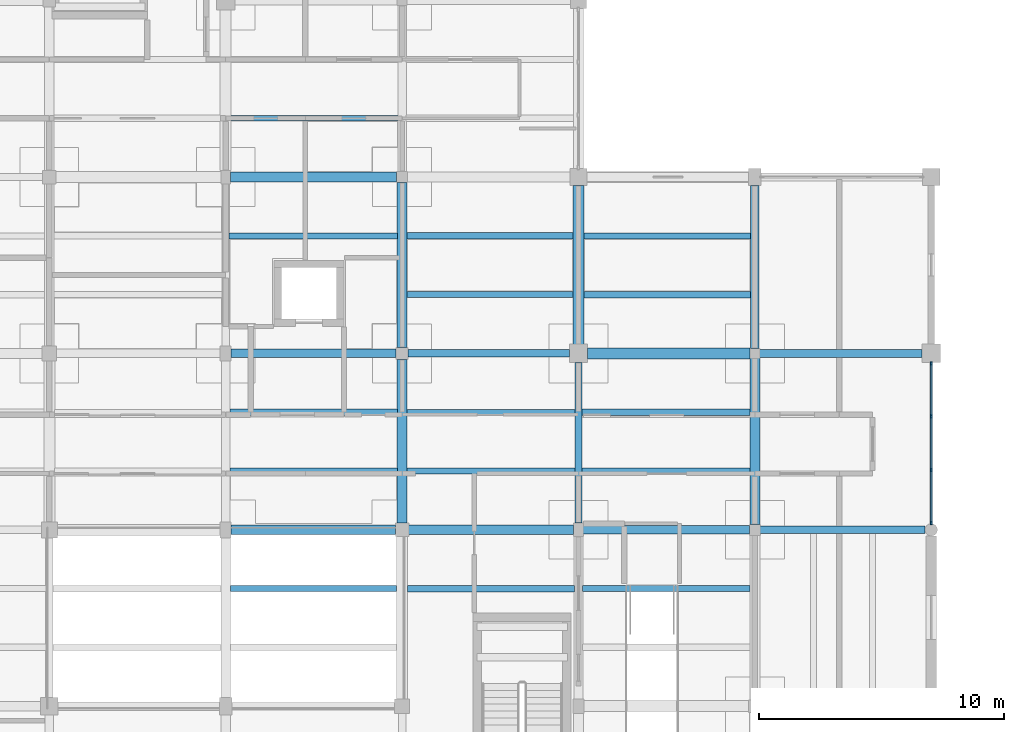
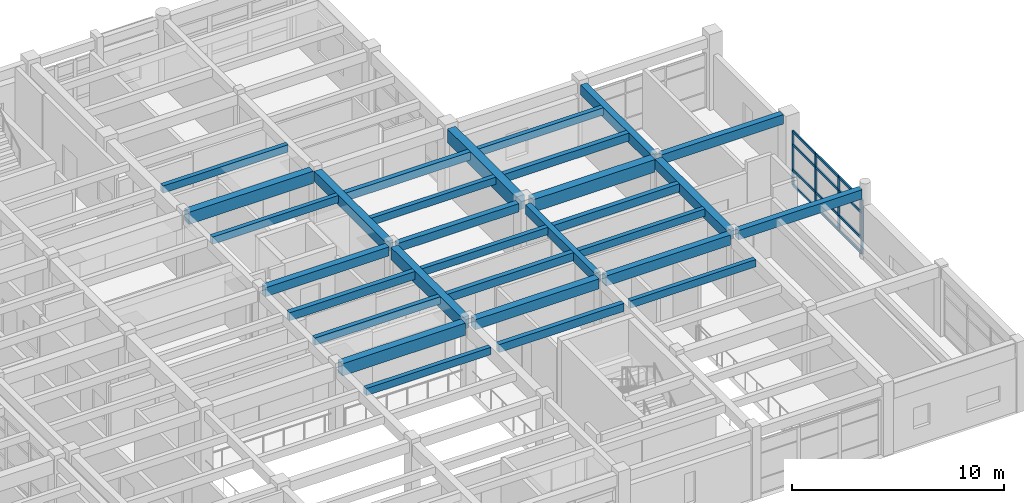
# One storey, part 49 of 110: 30 beams, 16 members, 1 element without a shape of its own.
"""IFC4 building model written with IfcOpenShell, lengths in metres."""

from ifc_helpers import new_model, si_unit, direction, frame, origin, origin_2d, place, context, subcontext, project, spatial, rectangle, extrude, material, material_profile, profile_set, type_object, element, aggregate, save


model = new_model("IFC4")

# Units and contexts
model_context = context("Model", 3, precision=1e-05, world=origin(), true_north=direction((0.0, 1.0)))
body_context = subcontext(model_context, "Body", "Model", "MODEL_VIEW")
ifc_project = project(units=[si_unit("LENGTHUNIT", "METRE"), si_unit("AREAUNIT", "SQUARE_METRE"), si_unit("VOLUMEUNIT", "CUBIC_METRE"), si_unit("PLANEANGLEUNIT", "RADIAN"), si_unit("MASSUNIT", "GRAM", prefix="KILO")], contexts=[model_context])

# Site, building, storey
site_placement = place(None, origin())
site = spatial("IfcSite", under=ifc_project, at=site_placement, CompositionType="ELEMENT")
building_placement = place(site_placement, origin())
building = spatial("IfcBuilding", under=site, at=building_placement, Name="Steenspoor Specialist Clinic", CompositionType="ELEMENT")
storey_placement = place(building_placement, frame((0.0, 0.0, 4.800048828125)))
storey = spatial("IfcBuildingStorey", under=building, at=storey_placement, Name="L01", CompositionType="ELEMENT", Elevation=4.800048828125)

# Beams
ifc_material_1 = material(Name="Concrete C35/45", Category="concrete")
ifc_material_profile_1 = material_profile(ifc_material_1, rectangle(XDim=0.300048828125, YDim=0.47998046875, at=origin_2d()), Name="RC-BM-300X480")
ifc_profile_set_1 = profile_set([ifc_material_profile_1], Name="Concrete C35/45")
beam_type_1 = type_object("IfcBeamType", Name="BM-RC-300X480", PredefinedType="BEAM", material=ifc_profile_set_1)
beam_1_placement = place(storey_placement, frame((139.844970703125, 86.75, 3.7099609375), z_axis=(1.0, 0.0, 0.0), x_axis=(0.0, 1.0, 0.0)))
element("IfcBeam", 1, at=beam_1_placement, inside=storey, type_object=beam_type_1, Name="BM-V6-L01-X1496", PredefinedType="BEAM", context=body_context, shape_type="SweptSolid", body=[
    extrude(rectangle(XDim=0.300048828125, YDim=0.47998046875, at=origin_2d()), origin(), (0.0, 0.0, 1.0), 6.5849609375),
])
ifc_material_profile_2 = material_profile(ifc_material_1, rectangle(XDim=0.300048828125, YDim=0.550048828125, at=origin_2d()), Name="RC-BM-300X550")
ifc_profile_set_2 = profile_set([ifc_material_profile_2], Name="Concrete C35/45")
beam_type_2 = type_object("IfcBeamType", Name="BM-RC-300X550", PredefinedType="BEAM", material=ifc_profile_set_2)
beam_2_placement = place(storey_placement, frame((146.800048828125, 79.820068359375, 3.675048828125), z_axis=(0.0, 1.0, 0.0), x_axis=(-1.0, 0.0, 0.0)))
element("IfcBeam", 2, at=beam_2_placement, inside=storey, type_object=beam_type_2, Name="BM-V6-L01-Y1536", PredefinedType="BEAM", context=body_context, shape_type="SweptSolid", body=[
    extrude(rectangle(XDim=0.300048828125, YDim=0.550048828125, at=origin_2d()), origin(), (0.0, 0.0, 1.0), 6.559814453125),
])
ifc_material_profile_3 = material_profile(ifc_material_1, rectangle(XDim=0.35009765625, YDim=0.52001953125, at=origin_2d()), Name="RC-BM-350X520")
ifc_profile_set_3 = profile_set([ifc_material_profile_3], Name="Concrete C35/45")
beam_type_3 = type_object("IfcBeamType", Name="BM-RC-350X520", PredefinedType="BEAM", material=ifc_profile_set_3)
beam_3_placement = place(storey_placement, frame((132.6201171875, 86.75, 3.68994140625), z_axis=(1.0, 0.0, 0.0), x_axis=(0.0, 1.0, 0.0)))
element("IfcBeam", 3, at=beam_3_placement, inside=storey, type_object=beam_type_3, Name="BM-V6-L01-X1495", PredefinedType="BEAM", context=body_context, shape_type="SweptSolid", body=[
    extrude(rectangle(XDim=0.35009765625, YDim=0.52001953125, at=origin_2d()), origin(), (0.0, 0.0, 1.0), 6.73486328125),
])
ifc_material_profile_4 = material_profile(ifc_material_1, rectangle(XDim=0.35009765625, YDim=0.580078125, at=origin_2d()), Name="RC-BM-350X580")
ifc_profile_set_4 = profile_set([ifc_material_profile_4], Name="Concrete C35/45")
beam_type_4 = type_object("IfcBeamType", Name="BM-RC-350X580", PredefinedType="BEAM", material=ifc_profile_set_4)
beam_4_placement = place(storey_placement, frame((146.9951171875, 79.550048828125, 3.659912109375), z_axis=(1.0, 0.0, 0.0), x_axis=(0.0, 1.0, 0.0)))
element("IfcBeam", 4, at=beam_4_placement, inside=storey, type_object=beam_type_4, Name="BM-V6-L01-X1492", PredefinedType="BEAM", context=body_context, shape_type="SweptSolid", body=[
    extrude(rectangle(XDim=0.35009765625, YDim=0.580078125, at=origin_2d()), origin(), (0.0, 0.0, 1.0), 6.784912109375),
])
beam_5_placement = place(storey_placement, frame((154.0, 86.945068359375, 3.659912109375), z_axis=(0.0, 1.0, 0.0), x_axis=(-1.0, 0.0, 0.0)))
element("IfcBeam", 5, at=beam_5_placement, inside=storey, type_object=beam_type_4, Name="BM-V6-L01-Y1543", PredefinedType="BEAM", context=body_context, shape_type="SweptSolid", body=[
    extrude(rectangle(XDim=0.35009765625, YDim=0.580078125, at=origin_2d()), origin(), (0.0, 0.0, 1.0), 6.659912109375),
])
ifc_material_profile_5 = material_profile(ifc_material_1, rectangle(XDim=0.39990234375, YDim=0.580078125, at=origin_2d()), Name="RC-BM-400X580")
ifc_profile_set_5 = profile_set([ifc_material_profile_5], Name="Concrete C35/45")
beam_type_5 = type_object("IfcBeamType", Name="BM-RC-400X580", PredefinedType="BEAM", material=ifc_profile_set_5)
for number, where, z_axis, x_axis, name in (
    (6, (139.8701171875, 79.550048828125, 3.659912109375), (1.0, 0.0, 0.0), (0.0, 1.0, 0.0), "BM-V6-L01-X1491"),
    (7, (139.60009765625, 86.9951171875, 3.659912109375), (0.0, 1.0, 0.0), (-1.0, 0.0, 0.0), "BM-V6-L01-Y1531"),
):
    element("IfcBeam", number, at=place(storey_placement, frame(where, z_axis=z_axis, x_axis=x_axis)), inside=storey, type_object=beam_type_5, Name=name, PredefinedType="BEAM", context=body_context, shape_type="SweptSolid", body=[
        extrude(rectangle(XDim=0.39990234375, YDim=0.580078125, at=origin_2d()), origin(), (0.0, 0.0, 1.0), 6.73486328125),
    ])
beam_6_placement = place(storey_placement, frame((154.0, 79.77001953125, 3.659912109375), z_axis=(0.0, 1.0, 0.0), x_axis=(-1.0, 0.0, 0.0)))
element("IfcBeam", 8, at=beam_6_placement, inside=storey, type_object=beam_type_5, Name="BM-V6-L01-Y1542", PredefinedType="BEAM", context=body_context, shape_type="SweptSolid", body=[
    extrude(rectangle(XDim=0.39990234375, YDim=0.580078125, at=origin_2d()), origin(), (0.0, 0.0, 1.0), 6.784912109375),
])
ifc_material_profile_6 = material_profile(ifc_material_1, rectangle(XDim=0.39990234375, YDim=0.699951171875, at=origin_2d()), Name="RC-BM-400X700")
ifc_profile_set_6 = profile_set([ifc_material_profile_6], Name="Concrete C35/45")
beam_type_6 = type_object("IfcBeamType", Name="BM-RC-400X700", PredefinedType="BEAM", material=ifc_profile_set_6)
beam_7_placement = place(storey_placement, frame((132.6201171875, 79.550048828125, 3.599853515625), z_axis=(1.0, 0.0, 0.0), x_axis=(0.0, 1.0, 0.0)))
element("IfcBeam", 9, at=beam_7_placement, inside=storey, type_object=beam_type_6, Name="BM-V6-L01-X1490", PredefinedType="BEAM", context=body_context, shape_type="SweptSolid", body=[
    extrude(rectangle(XDim=0.39990234375, YDim=0.699951171875, at=origin_2d()), origin(), (0.0, 0.0, 1.0), 6.7099609375),
])
beam_8_placement = place(storey_placement, frame((132.594970703125, 93.949951171875, 3.599853515625), z_axis=(1.0, 0.0, 0.0), x_axis=(0.0, 1.0, 0.0)))
element("IfcBeam", 10, at=beam_8_placement, inside=storey, type_object=beam_type_6, Name="BM-V6-L01-X1500", PredefinedType="BEAM", context=body_context, shape_type="SweptSolid", body=[
    extrude(rectangle(XDim=0.39990234375, YDim=0.699951171875, at=origin_2d()), origin(), (0.0, 0.0, 1.0), 6.784912109375),
])
beam_9_placement = place(storey_placement, frame((139.60009765625, 79.820068359375, 3.599853515625), z_axis=(0.0, 1.0, 0.0), x_axis=(-1.0, 0.0, 0.0)))
element("IfcBeam", 11, at=beam_9_placement, inside=storey, type_object=beam_type_6, Name="BM-V6-L01-Y1530", PredefinedType="BEAM", context=body_context, shape_type="SweptSolid", body=[
    extrude(rectangle(XDim=0.39990234375, YDim=0.699951171875, at=origin_2d()), origin(), (0.0, 0.0, 1.0), 6.684814453125),
])
ifc_material_profile_7 = material_profile(ifc_material_1, rectangle(XDim=0.449951171875, YDim=0.719970703125, at=origin_2d()), Name="RC-BM-450X720")
ifc_profile_set_7 = profile_set([ifc_material_profile_7], Name="Concrete C35/45")
beam_type_7 = type_object("IfcBeamType", Name="BM-RC-450X720", PredefinedType="BEAM", material=ifc_profile_set_7)
beam_10_placement = place(storey_placement, frame((147.169921875, 86.75, 3.58984375), z_axis=(1.0, 0.0, 0.0), x_axis=(0.0, 1.0, 0.0)))
element("IfcBeam", 12, at=beam_10_placement, inside=storey, type_object=beam_type_7, Name="BM-V6-L01-X1497", PredefinedType="BEAM", context=body_context, shape_type="SweptSolid", body=[
    extrude(rectangle(XDim=0.449951171875, YDim=0.719970703125, at=origin_2d()), origin(), (0.0, 0.0, 1.0), 6.635009765625),
])
ifc_material_profile_8 = material_profile(ifc_material_1, rectangle(XDim=0.449951171875, YDim=0.800048828125, at=origin_2d()), Name="RC-BM-450X800")
ifc_profile_set_8 = profile_set([ifc_material_profile_8], Name="Concrete C35/45")
beam_type_8 = type_object("IfcBeamType", Name="BM-RC-450X800", PredefinedType="BEAM", material=ifc_profile_set_8)
beam_11_placement = place(storey_placement, frame((146.800048828125, 87.1201171875, 3.550048828125), z_axis=(0.0, 1.0, 0.0), x_axis=(-1.0, 0.0, 0.0)))
element("IfcBeam", 13, at=beam_11_placement, inside=storey, type_object=beam_type_8, Name="BM-V6-L01-Y1537", PredefinedType="BEAM", context=body_context, shape_type="SweptSolid", body=[
    extrude(rectangle(XDim=0.449951171875, YDim=0.800048828125, at=origin_2d()), origin(), (0.0, 0.0, 1.0), 6.48486328125),
])

# Curtain wall, members
ifc_material_2 = material(Name="Thermally broken aluminium and low-emissivity glass", Category="aluminium")
curtain_wall_type = type_object("IfcCurtainWallType", Name="CW-HALL-480X820", PredefinedType="USERDEFINED", material=ifc_material_2)
curtain_wall_placement = place(storey_placement, origin())
curtain_wall = element("IfcCurtainWall", 14, at=curtain_wall_placement, inside=storey, type_object=curtain_wall_type, Name="Unitised Curtain Wall CW-V6-L01-171", ObjectType="UNITISED GLAZING", PredefinedType="USERDEFINED")
ifc_material_3 = material(Name="Thermally broken aluminium 6063-T6", Category="aluminium")
ifc_material_profile_9 = material_profile(ifc_material_3, rectangle(XDim=0.06494140625, YDim=0.14990234375, at=origin_2d()), Name="CWM-65X150")
ifc_profile_set_9 = profile_set([ifc_material_profile_9], Name="Thermally broken aluminium 6063-T6")
member_type_1 = type_object("IfcMemberType", Name="CW-MULL-65X150", PredefinedType="MULLION", material=ifc_profile_set_9)
member_1_placement = place(storey_placement, frame((161.199951171875, 86.342529296875, 0.0), z_axis=(0.0, 0.0, 1.0), x_axis=(1.0, 0.0, 0.0)))
member_1 = element("IfcMember", 15, at=member_1_placement, type_object=member_type_1, Name="CW-03 mullion 1", PredefinedType="MULLION", context=body_context, shape_type="SweptSolid", body=[
    extrude(rectangle(XDim=0.06494140625, YDim=0.14990234375, at=origin_2d()), origin(), (0.0, 0.0, 1.0), 3.1298828125),
])
member_2_placement = place(storey_placement, frame((161.199951171875, 84.183349609375, 0.0), z_axis=(0.0, 0.0, 1.0), x_axis=(1.0, 0.0, 0.0)))
member_2 = element("IfcMember", 16, at=member_2_placement, type_object=member_type_1, Name="CW-03 mullion 2", PredefinedType="MULLION", context=body_context, shape_type="SweptSolid", body=[
    extrude(rectangle(XDim=0.06494140625, YDim=0.14990234375, at=origin_2d()), origin(), (0.0, 0.0, 1.0), 3.1298828125),
])
member_3_placement = place(storey_placement, frame((161.199951171875, 81.99169921875, 0.0), z_axis=(0.0, 0.0, 1.0), x_axis=(1.0, 0.0, 0.0)))
member_3 = element("IfcMember", 17, at=member_3_placement, type_object=member_type_1, Name="CW-03 mullion 3", PredefinedType="MULLION", context=body_context, shape_type="SweptSolid", body=[
    extrude(rectangle(XDim=0.06494140625, YDim=0.14990234375, at=origin_2d()), origin(), (0.0, 0.0, 1.0), 3.1298828125),
])
member_4_placement = place(storey_placement, frame((161.199951171875, 79.83251953125, 0.0), z_axis=(0.0, 0.0, 1.0), x_axis=(1.0, 0.0, 0.0)))
member_4 = element("IfcMember", 18, at=member_4_placement, type_object=member_type_1, Name="CW-03 mullion 4", PredefinedType="MULLION", context=body_context, shape_type="SweptSolid", body=[
    extrude(rectangle(XDim=0.06494140625, YDim=0.14990234375, at=origin_2d()), origin(), (0.0, 0.0, 1.0), 3.1298828125),
])
ifc_material_profile_10 = material_profile(ifc_material_3, rectangle(XDim=0.070068359375, YDim=0.14501953125, at=origin_2d()), Name="CWT-70X145")
ifc_profile_set_10 = profile_set([ifc_material_profile_10], Name="Thermally broken aluminium 6063-T6")
member_type_2 = type_object("IfcMemberType", Name="CW-TRAN-70X145", PredefinedType="USERDEFINED", material=ifc_profile_set_10)
member_5_placement = place(storey_placement, frame((161.199951171875, 86.31005859375, 0.034912109375), z_axis=(0.0, -1.0, 0.0), x_axis=(1.0, 0.0, 0.0)))
member_5 = element("IfcMember", 19, at=member_5_placement, type_object=member_type_2, Name="CW-03 transom 1.1", ObjectType="TRANSOM", PredefinedType="USERDEFINED", context=body_context, shape_type="SweptSolid", body=[
    extrude(rectangle(XDim=0.070068359375, YDim=0.14501953125, at=origin_2d()), origin(), (0.0, 0.0, 1.0), 2.09423828125),
])
member_6_placement = place(storey_placement, frame((161.199951171875, 86.31005859375, 0.89990234375), z_axis=(0.0, -1.0, 0.0), x_axis=(1.0, 0.0, 0.0)))
member_6 = element("IfcMember", 20, at=member_6_placement, type_object=member_type_2, Name="CW-03 transom 1.2", ObjectType="TRANSOM", PredefinedType="USERDEFINED", context=body_context, shape_type="SweptSolid", body=[
    extrude(rectangle(XDim=0.070068359375, YDim=0.14501953125, at=origin_2d()), origin(), (0.0, 0.0, 1.0), 2.09423828125),
])
member_7_placement = place(storey_placement, frame((161.199951171875, 86.31005859375, 2.349853515625), z_axis=(0.0, -1.0, 0.0), x_axis=(1.0, 0.0, 0.0)))
member_7 = element("IfcMember", 21, at=member_7_placement, type_object=member_type_2, Name="CW-03 transom 1.3", ObjectType="TRANSOM", PredefinedType="USERDEFINED", context=body_context, shape_type="SweptSolid", body=[
    extrude(rectangle(XDim=0.070068359375, YDim=0.14501953125, at=origin_2d()), origin(), (0.0, 0.0, 1.0), 2.09423828125),
])
member_8_placement = place(storey_placement, frame((161.199951171875, 86.31005859375, 3.094970703125), z_axis=(0.0, -1.0, 0.0), x_axis=(1.0, 0.0, 0.0)))
member_8 = element("IfcMember", 22, at=member_8_placement, type_object=member_type_2, Name="CW-03 transom 1.4", ObjectType="TRANSOM", PredefinedType="USERDEFINED", context=body_context, shape_type="SweptSolid", body=[
    extrude(rectangle(XDim=0.070068359375, YDim=0.14501953125, at=origin_2d()), origin(), (0.0, 0.0, 1.0), 2.09423828125),
])
member_9_placement = place(storey_placement, frame((161.199951171875, 84.15087890625, 0.034912109375), z_axis=(0.0, -1.0, 0.0), x_axis=(1.0, 0.0, 0.0)))
member_9 = element("IfcMember", 23, at=member_9_placement, type_object=member_type_2, Name="CW-03 transom 2.1", ObjectType="TRANSOM", PredefinedType="USERDEFINED", context=body_context, shape_type="SweptSolid", body=[
    extrude(rectangle(XDim=0.070068359375, YDim=0.14501953125, at=origin_2d()), origin(), (0.0, 0.0, 1.0), 2.126708984375),
])
member_10_placement = place(storey_placement, frame((161.199951171875, 84.15087890625, 0.89990234375), z_axis=(0.0, -1.0, 0.0), x_axis=(1.0, 0.0, 0.0)))
member_10 = element("IfcMember", 24, at=member_10_placement, type_object=member_type_2, Name="CW-03 transom 2.2", ObjectType="TRANSOM", PredefinedType="USERDEFINED", context=body_context, shape_type="SweptSolid", body=[
    extrude(rectangle(XDim=0.070068359375, YDim=0.14501953125, at=origin_2d()), origin(), (0.0, 0.0, 1.0), 2.126708984375),
])
member_11_placement = place(storey_placement, frame((161.199951171875, 84.15087890625, 2.349853515625), z_axis=(0.0, -1.0, 0.0), x_axis=(1.0, 0.0, 0.0)))
member_11 = element("IfcMember", 25, at=member_11_placement, type_object=member_type_2, Name="CW-03 transom 2.3", ObjectType="TRANSOM", PredefinedType="USERDEFINED", context=body_context, shape_type="SweptSolid", body=[
    extrude(rectangle(XDim=0.070068359375, YDim=0.14501953125, at=origin_2d()), origin(), (0.0, 0.0, 1.0), 2.126708984375),
])
member_12_placement = place(storey_placement, frame((161.199951171875, 84.15087890625, 3.094970703125), z_axis=(0.0, -1.0, 0.0), x_axis=(1.0, 0.0, 0.0)))
member_12 = element("IfcMember", 26, at=member_12_placement, type_object=member_type_2, Name="CW-03 transom 2.4", ObjectType="TRANSOM", PredefinedType="USERDEFINED", context=body_context, shape_type="SweptSolid", body=[
    extrude(rectangle(XDim=0.070068359375, YDim=0.14501953125, at=origin_2d()), origin(), (0.0, 0.0, 1.0), 2.126708984375),
])
member_13_placement = place(storey_placement, frame((161.199951171875, 81.959228515625, 0.034912109375), z_axis=(0.0, -1.0, 0.0), x_axis=(1.0, 0.0, 0.0)))
member_13 = element("IfcMember", 27, at=member_13_placement, type_object=member_type_2, Name="CW-03 transom 3.1", ObjectType="TRANSOM", PredefinedType="USERDEFINED", context=body_context, shape_type="SweptSolid", body=[
    extrude(rectangle(XDim=0.070068359375, YDim=0.14501953125, at=origin_2d()), origin(), (0.0, 0.0, 1.0), 2.09423828125),
])
member_14_placement = place(storey_placement, frame((161.199951171875, 81.959228515625, 0.89990234375), z_axis=(0.0, -1.0, 0.0), x_axis=(1.0, 0.0, 0.0)))
member_14 = element("IfcMember", 28, at=member_14_placement, type_object=member_type_2, Name="CW-03 transom 3.2", ObjectType="TRANSOM", PredefinedType="USERDEFINED", context=body_context, shape_type="SweptSolid", body=[
    extrude(rectangle(XDim=0.070068359375, YDim=0.14501953125, at=origin_2d()), origin(), (0.0, 0.0, 1.0), 2.09423828125),
])
member_15_placement = place(storey_placement, frame((161.199951171875, 81.959228515625, 2.349853515625), z_axis=(0.0, -1.0, 0.0), x_axis=(1.0, 0.0, 0.0)))
member_15 = element("IfcMember", 29, at=member_15_placement, type_object=member_type_2, Name="CW-03 transom 3.3", ObjectType="TRANSOM", PredefinedType="USERDEFINED", context=body_context, shape_type="SweptSolid", body=[
    extrude(rectangle(XDim=0.070068359375, YDim=0.14501953125, at=origin_2d()), origin(), (0.0, 0.0, 1.0), 2.09423828125),
])
member_16_placement = place(storey_placement, frame((161.199951171875, 81.959228515625, 3.094970703125), z_axis=(0.0, -1.0, 0.0), x_axis=(1.0, 0.0, 0.0)))
member_16 = element("IfcMember", 30, at=member_16_placement, type_object=member_type_2, Name="CW-03 transom 3.4", ObjectType="TRANSOM", PredefinedType="USERDEFINED", context=body_context, shape_type="SweptSolid", body=[
    extrude(rectangle(XDim=0.070068359375, YDim=0.14501953125, at=origin_2d()), origin(), (0.0, 0.0, 1.0), 2.09423828125),
])
aggregate(curtain_wall, [member_1, member_2, member_3, member_4, member_5, member_6, member_7, member_8, member_9, member_10, member_11, member_12, member_13, member_14, member_15, member_16])

# Beams
ifc_material_profile_11 = material_profile(ifc_material_1, rectangle(XDim=0.239990234375, YDim=0.419921875, at=origin_2d()), Name="RC-JT-240X420")
ifc_profile_set_11 = profile_set([ifc_material_profile_11], Name="Concrete C35/45")
beam_type_9 = type_object("IfcBeamType", Name="JT-RC-240X420", PredefinedType="JOIST", material=ifc_profile_set_11)
beam_12_placement = place(storey_placement, frame((132.594970703125, 77.14990234375, 3.739990234375), z_axis=(1.0, 0.0, 0.0), x_axis=(0.0, 1.0, 0.0)))
element("IfcBeam", 31, at=beam_12_placement, inside=storey, type_object=beam_type_9, Name="JT-V6-L01-1569", PredefinedType="JOIST", context=body_context, shape_type="SweptSolid", body=[
    extrude(rectangle(XDim=0.239990234375, YDim=0.419921875, at=origin_2d()), origin(), (0.0, 0.0, 1.0), 6.784912109375),
])
beam_13_placement = place(storey_placement, frame((132.570068359375, 81.949951171875, 3.739990234375), z_axis=(1.0, 0.0, 0.0), x_axis=(0.0, 1.0, 0.0)))
element("IfcBeam", 32, at=beam_13_placement, inside=storey, type_object=beam_type_9, Name="JT-V6-L01-1570", PredefinedType="JOIST", context=body_context, shape_type="SweptSolid", body=[
    extrude(rectangle(XDim=0.239990234375, YDim=0.419921875, at=origin_2d()), origin(), (0.0, 0.0, 1.0), 6.8349609375),
])
beam_14_placement = place(storey_placement, frame((132.544921875, 91.550048828125, 3.739990234375), z_axis=(1.0, 0.0, 0.0), x_axis=(0.0, 1.0, 0.0)))
element("IfcBeam", 33, at=beam_14_placement, inside=storey, type_object=beam_type_9, Name="JT-V6-L01-1572", PredefinedType="JOIST", context=body_context, shape_type="SweptSolid", body=[
    extrude(rectangle(XDim=0.239990234375, YDim=0.419921875, at=origin_2d()), origin(), (0.0, 0.0, 1.0), 6.860107421875),
])
beam_15_placement = place(storey_placement, frame((132.6201171875, 96.35009765625, 3.739990234375), z_axis=(1.0, 0.0, 0.0), x_axis=(0.0, 1.0, 0.0)))
element("IfcBeam", 34, at=beam_15_placement, inside=storey, type_object=beam_type_9, Name="JT-V6-L01-1573", PredefinedType="JOIST", context=body_context, shape_type="SweptSolid", body=[
    extrude(rectangle(XDim=0.239990234375, YDim=0.419921875, at=origin_2d()), origin(), (0.0, 0.0, 1.0), 6.809814453125),
])
beam_16_placement = place(storey_placement, frame((139.794921875, 84.35009765625, 3.739990234375), z_axis=(1.0, 0.0, 0.0), x_axis=(0.0, 1.0, 0.0)))
element("IfcBeam", 35, at=beam_16_placement, inside=storey, type_object=beam_type_9, Name="JT-V6-L01-1580", PredefinedType="JOIST", context=body_context, shape_type="SweptSolid", body=[
    extrude(rectangle(XDim=0.239990234375, YDim=0.419921875, at=origin_2d()), origin(), (0.0, 0.0, 1.0), 6.860107421875),
])
beam_17_placement = place(storey_placement, frame((139.794921875, 89.14990234375, 3.739990234375), z_axis=(1.0, 0.0, 0.0), x_axis=(0.0, 1.0, 0.0)))
element("IfcBeam", 36, at=beam_17_placement, inside=storey, type_object=beam_type_9, Name="JT-V6-L01-1581", PredefinedType="JOIST", context=body_context, shape_type="SweptSolid", body=[
    extrude(rectangle(XDim=0.239990234375, YDim=0.419921875, at=origin_2d()), origin(), (0.0, 0.0, 1.0), 6.78515625),
])
beam_18_placement = place(storey_placement, frame((146.969970703125, 77.14990234375, 3.739990234375), z_axis=(1.0, 0.0, 0.0), x_axis=(0.0, 1.0, 0.0)))
element("IfcBeam", 37, at=beam_18_placement, inside=storey, type_object=beam_type_9, Name="JT-V6-L01-1590", PredefinedType="JOIST", context=body_context, shape_type="SweptSolid", body=[
    extrude(rectangle(XDim=0.239990234375, YDim=0.419921875, at=origin_2d()), origin(), (0.0, 0.0, 1.0), 6.8349609375),
])
beam_19_placement = place(storey_placement, frame((146.945068359375, 81.949951171875, 3.739990234375), z_axis=(1.0, 0.0, 0.0), x_axis=(0.0, 1.0, 0.0)))
element("IfcBeam", 38, at=beam_19_placement, inside=storey, type_object=beam_type_9, Name="JT-V6-L01-1591", PredefinedType="JOIST", context=body_context, shape_type="SweptSolid", body=[
    extrude(rectangle(XDim=0.239990234375, YDim=0.419921875, at=origin_2d()), origin(), (0.0, 0.0, 1.0), 6.85986328125),
])
beam_20_placement = place(storey_placement, frame((147.02001953125, 91.550048828125, 3.739990234375), z_axis=(1.0, 0.0, 0.0), x_axis=(0.0, 1.0, 0.0)))
element("IfcBeam", 39, at=beam_20_placement, inside=storey, type_object=beam_type_9, Name="JT-V6-L01-1594", PredefinedType="JOIST", context=body_context, shape_type="SweptSolid", body=[
    extrude(rectangle(XDim=0.239990234375, YDim=0.419921875, at=origin_2d()), origin(), (0.0, 0.0, 1.0), 6.81005859375),
])
ifc_material_profile_12 = material_profile(ifc_material_1, rectangle(XDim=0.260009765625, YDim=0.4599609375, at=origin_2d()), Name="RC-JT-260X460")
ifc_profile_set_12 = profile_set([ifc_material_profile_12], Name="Concrete C35/45")
beam_type_10 = type_object("IfcBeamType", Name="JT-RC-260X460", PredefinedType="JOIST", material=ifc_profile_set_12)
beam_21_placement = place(storey_placement, frame((132.570068359375, 84.35009765625, 3.719970703125), z_axis=(1.0, 0.0, 0.0), x_axis=(0.0, 1.0, 0.0)))
element("IfcBeam", 40, at=beam_21_placement, inside=storey, type_object=beam_type_10, Name="JT-V6-L01-1571", PredefinedType="JOIST", context=body_context, shape_type="SweptSolid", body=[
    extrude(rectangle(XDim=0.260009765625, YDim=0.4599609375, at=origin_2d()), origin(), (0.0, 0.0, 1.0), 6.8349609375),
])
beam_22_placement = place(storey_placement, frame((139.820068359375, 77.14990234375, 3.719970703125), z_axis=(1.0, 0.0, 0.0), x_axis=(0.0, 1.0, 0.0)))
element("IfcBeam", 41, at=beam_22_placement, inside=storey, type_object=beam_type_10, Name="JT-V6-L01-1578", PredefinedType="JOIST", context=body_context, shape_type="SweptSolid", body=[
    extrude(rectangle(XDim=0.260009765625, YDim=0.4599609375, at=origin_2d()), origin(), (0.0, 0.0, 1.0), 6.809814453125),
])
beam_23_placement = place(storey_placement, frame((139.794921875, 81.949951171875, 3.719970703125), z_axis=(1.0, 0.0, 0.0), x_axis=(0.0, 1.0, 0.0)))
element("IfcBeam", 42, at=beam_23_placement, inside=storey, type_object=beam_type_10, Name="JT-V6-L01-1579", PredefinedType="JOIST", context=body_context, shape_type="SweptSolid", body=[
    extrude(rectangle(XDim=0.260009765625, YDim=0.4599609375, at=origin_2d()), origin(), (0.0, 0.0, 1.0), 6.860107421875),
])
beam_24_placement = place(storey_placement, frame((139.794921875, 91.550048828125, 3.719970703125), z_axis=(1.0, 0.0, 0.0), x_axis=(0.0, 1.0, 0.0)))
element("IfcBeam", 43, at=beam_24_placement, inside=storey, type_object=beam_type_10, Name="JT-V6-L01-1582", PredefinedType="JOIST", context=body_context, shape_type="SweptSolid", body=[
    extrude(rectangle(XDim=0.260009765625, YDim=0.4599609375, at=origin_2d()), origin(), (0.0, 0.0, 1.0), 6.78515625),
])
beam_25_placement = place(storey_placement, frame((146.945068359375, 84.35009765625, 3.719970703125), z_axis=(1.0, 0.0, 0.0), x_axis=(0.0, 1.0, 0.0)))
element("IfcBeam", 44, at=beam_25_placement, inside=storey, type_object=beam_type_10, Name="JT-V6-L01-1592", PredefinedType="JOIST", context=body_context, shape_type="SweptSolid", body=[
    extrude(rectangle(XDim=0.260009765625, YDim=0.4599609375, at=origin_2d()), origin(), (0.0, 0.0, 1.0), 6.85986328125),
])
beam_26_placement = place(storey_placement, frame((147.02001953125, 89.14990234375, 3.719970703125), z_axis=(1.0, 0.0, 0.0), x_axis=(0.0, 1.0, 0.0)))
element("IfcBeam", 45, at=beam_26_placement, inside=storey, type_object=beam_type_10, Name="JT-V6-L01-1593", PredefinedType="JOIST", context=body_context, shape_type="SweptSolid", body=[
    extrude(rectangle(XDim=0.260009765625, YDim=0.4599609375, at=origin_2d()), origin(), (0.0, 0.0, 1.0), 6.81005859375),
])
ifc_material_profile_13 = material_profile(ifc_material_1, rectangle(XDim=0.320068359375, YDim=0.5400390625, at=origin_2d()), Name="RC-SP-320X540")
ifc_profile_set_13 = profile_set([ifc_material_profile_13], Name="Concrete C35/45")
beam_type_11 = type_object("IfcBeamType", Name="SP-RC-320X540", PredefinedType="SPANDREL", material=ifc_profile_set_13)
beam_27_placement = place(storey_placement, frame((154.219970703125, 79.550048828125, 3.764892578125), z_axis=(1.0, 0.0, 0.0), x_axis=(0.0, 1.0, 0.0)))
element("IfcBeam", 46, at=beam_27_placement, inside=storey, type_object=beam_type_11, Name="BMTIER-V6-L01-X05-02", PredefinedType="SPANDREL", context=body_context, shape_type="SweptSolid", body=[
    extrude(rectangle(XDim=0.320068359375, YDim=0.5400390625, at=origin_2d()), origin(), (0.0, 0.0, 1.0), 6.735107421875),
])
beam_28_placement = place(storey_placement, frame((154.195068359375, 86.75, 3.764892578125), z_axis=(1.0, 0.0, 0.0), x_axis=(0.0, 1.0, 0.0)))
element("IfcBeam", 47, at=beam_28_placement, inside=storey, type_object=beam_type_11, Name="BMTIER-V6-L01-X05-03", PredefinedType="SPANDREL", context=body_context, shape_type="SweptSolid", body=[
    extrude(rectangle(XDim=0.320068359375, YDim=0.5400390625, at=origin_2d()), origin(), (0.0, 0.0, 1.0), 6.635009765625),
])

save(model, "model.ifc")
